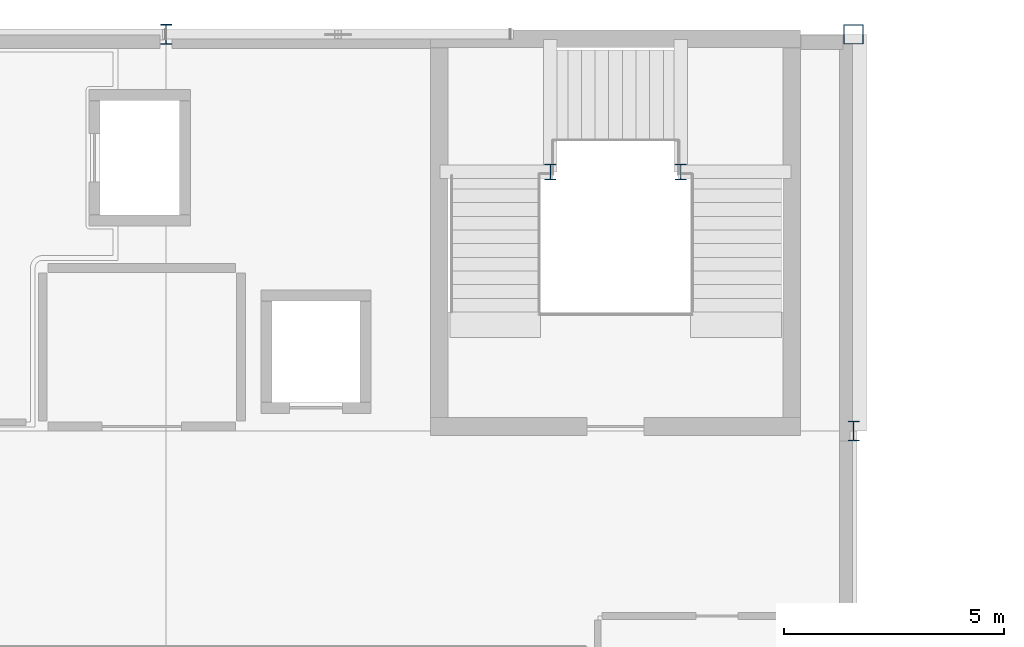
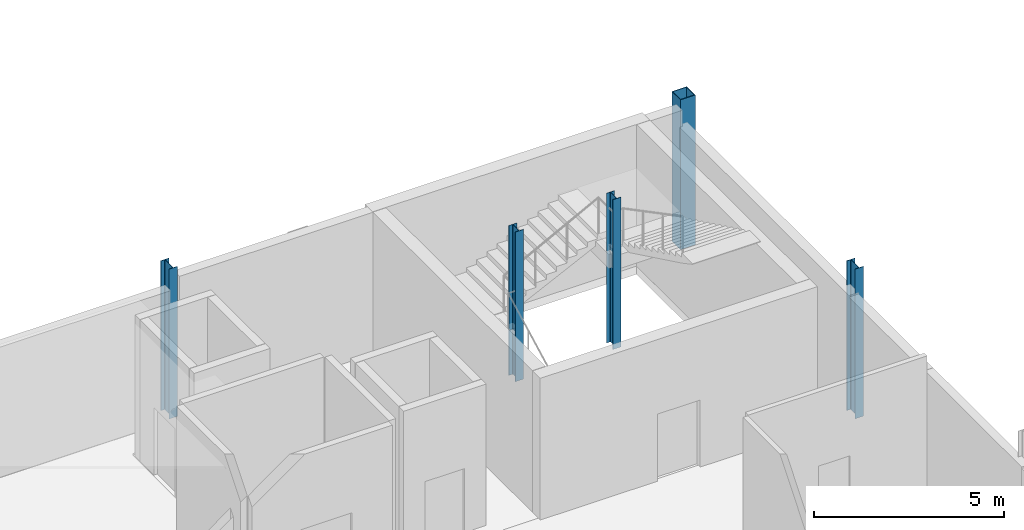
# One storey, part 12 of 100: 5 columns.
"""IFC4 building model written with IfcOpenShell, lengths in metres."""

import ifcopenshell
import ifcopenshell.guid

model = None  # the IFC model being written
_history = None  # IfcOwnerHistory: only IFC2X3 demands one
_inside = {}  # id of a spatial element -> (the spatial element, [elements in it])
_under = {}  # id of a project, library or spatial element -> (it, [spatial elements below it])
_declared = {}  # id of a project -> (the project, [libraries it declares])
_typed = {}  # id of a type object -> (the type object, [elements of that type])
_made_of = {}  # id of a material, layer set ... -> (it, [elements and type objects made of it])


def new_model(schema):
    """Start an empty IFC model of exactly this schema.

    Asked for "IFC4X3", IfcOpenShell would pick the latest addendum, in which some entities
    have other attributes; the version numbers below select the first issue.
    IFC2X3 requires an IfcOwnerHistory on every rooted entity: one is made here for all.
    """
    global model, _history
    if schema == "IFC4X3":
        model = ifcopenshell.file(schema_version=(4, 3, 0, 0))
    else:
        model = ifcopenshell.file(schema=schema)
    _inside.clear()
    _under.clear()
    _declared.clear()
    _typed.clear()
    _made_of.clear()
    _history = None
    if model.schema == "IFC2X3":
        org = make("IfcOrganization", Name="unknown")
        user = make(
            "IfcPersonAndOrganization",
            ThePerson=make("IfcPerson", FamilyName="unknown"),
            TheOrganization=org,
        )
        app = make(
            "IfcApplication",
            ApplicationDeveloper=org,
            Version="unknown",
            ApplicationFullName="unknown",
            ApplicationIdentifier="unknown",
        )
        _history = make(
            "IfcOwnerHistory",
            OwningUser=user,
            OwningApplication=app,
            ChangeAction="ADDED",
            CreationDate=0,
        )
    return model


def make(cls, **values):
    """One entity of the class cls with the attributes given. An attribute that is None is left unset."""
    return model.create_entity(
        cls, **{name: value for name, value in values.items() if value is not None}
    )


def rooted(cls, **values):
    """An entity with a GlobalId (a new one), such as an element, a storey or a relation."""
    return make(cls, GlobalId=ifcopenshell.guid.new(), OwnerHistory=_history, **values)


def si_unit(unit_type, name, prefix=None):
    """IfcSIUnit, for example si_unit("LENGTHUNIT", "METRE", prefix="MILLI")."""
    return make("IfcSIUnit", UnitType=unit_type, Prefix=prefix, Name=name)


def derived_unit(unit_type, elements):
    """IfcDerivedUnit: a product of units, each with its exponent."""
    return make(
        "IfcDerivedUnit",
        Elements=[
            make("IfcDerivedUnitElement", Unit=unit, Exponent=power)
            for unit, power in elements
        ],
        UnitType=unit_type,
    )


def assignment(units):
    """IfcUnitAssignment: the units of a project."""
    return None if units is None else make("IfcUnitAssignment", Units=units)


def point(xyz):
    """IfcCartesianPoint."""
    return None if xyz is None else make("IfcCartesianPoint", Coordinates=xyz)


def direction(xyz):
    """IfcDirection."""
    return None if xyz is None else make("IfcDirection", DirectionRatios=xyz)


def frame(location, z_axis=None, x_axis=None):
    """IfcAxis2Placement3D, a coordinate frame: its origin and axes. An axis left out is left unset."""
    return make(
        "IfcAxis2Placement3D",
        Location=point(location),
        Axis=direction(z_axis),
        RefDirection=direction(x_axis),
    )


def frame_2d(location, x_axis=None):
    """IfcAxis2Placement2D, a coordinate frame in the plane: its origin and x axis."""
    return make(
        "IfcAxis2Placement2D", Location=point(location), RefDirection=direction(x_axis)
    )


def origin():
    """The frame at (0, 0, 0) with its axes left unset."""
    return frame((0.0, 0.0, 0.0))


def origin_2d():
    """The frame at (0, 0) in the plane with its x axis left unset."""
    return frame_2d((0.0, 0.0))


def place(relative_to, where):
    """IfcLocalPlacement: puts the frame where relative to a parent placement (None: the world)."""
    return make(
        "IfcLocalPlacement", PlacementRelTo=relative_to, RelativePlacement=where
    )


def context(
    kind, dimensions, precision=None, world=None, true_north=None, identifier=None
):
    """IfcGeometricRepresentationContext, for example the 3D "Model" context."""
    return make(
        "IfcGeometricRepresentationContext",
        ContextIdentifier=identifier,
        ContextType=kind,
        CoordinateSpaceDimension=dimensions,
        Precision=precision,
        WorldCoordinateSystem=world,
        TrueNorth=true_north,
    )


def subcontext(parent, identifier, kind, view, scale=None):
    """IfcGeometricRepresentationSubContext, for example "Body" below "Model"."""
    return make(
        "IfcGeometricRepresentationSubContext",
        ContextIdentifier=identifier,
        ContextType=kind,
        ParentContext=parent,
        TargetScale=scale,
        TargetView=view,
    )


def project(units=None, contexts=None):
    """IfcProject with its units and contexts."""
    return rooted(
        "IfcProject",
        Name="project",
        RepresentationContexts=contexts,
        UnitsInContext=assignment(units),
    )


def spatial(cls, under=None, at=None, **own):
    """A site, building, storey or space (cls), placed at a placement, below another one or the project."""
    s = rooted(cls, ObjectPlacement=at, **own)
    if under is not None:
        _under.setdefault(under.id(), (under, []))[1].append(s)
    return s


def profile(cls, at=None, kind="AREA", **sizes):
    """A parametric profile (cls). Its sizes go by their IFC names, for example OverallWidth=200.0."""
    return make(cls, ProfileType=kind, Position=at, **sizes)


def hollow_rectangle(**sizes):
    """IfcRectangleHollowProfileDef."""
    return profile("IfcRectangleHollowProfileDef", **sizes)


def i_section(**sizes):
    """IfcIShapeProfileDef."""
    return profile("IfcIShapeProfileDef", **sizes)


def extrude(swept, where, along, depth):
    """IfcExtrudedAreaSolid: the profile swept, set in the frame where, extruded along a direction by depth."""
    return make(
        "IfcExtrudedAreaSolid",
        SweptArea=swept,
        Position=where,
        ExtrudedDirection=direction(along),
        Depth=depth,
    )


def shape(context_of_items, identifier, shape_type, items):
    """IfcShapeRepresentation: the items that make up one representation, for example the "Body"."""
    return make(
        "IfcShapeRepresentation",
        ContextOfItems=context_of_items,
        RepresentationIdentifier=identifier,
        RepresentationType=shape_type,
        Items=items,
    )


def material(Name=None, Category=None):
    """IfcMaterial."""
    return make("IfcMaterial", Name=Name, Category=Category)


def material_profile(
    of_material, cross_section, Name=None, Category=None, Priority=None
):
    """IfcMaterialProfile: a cross section and its material."""
    return make(
        "IfcMaterialProfile",
        Name=Name,
        Material=of_material,
        Profile=cross_section,
        Priority=Priority,
        Category=Category,
    )


def profile_set(profiles, Name=None, composite=None):
    """IfcMaterialProfileSet."""
    return make(
        "IfcMaterialProfileSet",
        Name=Name,
        MaterialProfiles=profiles,
        CompositeProfile=composite,
    )


def made_of(thing, what):
    """Note that an element or type object is made of a material, layer set ...; save() writes the relation."""
    if what is not None:
        _made_of.setdefault(what.id(), (what, []))[1].append(thing)
    return thing


def type_object(cls, material=None, **own):
    """A type object (cls), such as IfcWallType, which elements share."""
    return made_of(rooted(cls, **own), material)


def element(
    cls,
    number,
    at=None,
    inside=None,
    cuts=None,
    type_object=None,
    material=None,
    context=None,
    identifier="Body",
    shape_type=None,
    held_by="IfcProductDefinitionShape",
    body=None,
    shapes=None,
    **own,
):
    """One element of the class cls, such as IfcWall. Its Tag is "e" and its number.

    at: its placement. inside: the storey or other place that contains it. cuts: it is an
    opening in that element (IfcRelVoidsElement). A single representation is given by context,
    identifier, shape_type and body (its items); several are given by shapes. held_by: the class
    of the entity that holds the representations. save() writes the other relations.
    """
    e = rooted(cls, Tag="e%d" % number, ObjectPlacement=at, **own)
    if body is not None:
        shapes = [shape(context, identifier, shape_type, body)]
    if shapes is not None:
        e.Representation = make(held_by, Representations=shapes)
    if inside is not None:
        _inside.setdefault(inside.id(), (inside, []))[1].append(e)
    if cuts is not None:
        rooted(
            "IfcRelVoidsElement", RelatingBuildingElement=cuts, RelatedOpeningElement=e
        )
    if type_object is not None:
        _typed.setdefault(type_object.id(), (type_object, []))[1].append(e)
    return made_of(e, material)


def aggregate(whole, parts):
    """IfcRelAggregates: a whole, such as a stair, and the parts it consists of."""
    return rooted("IfcRelAggregates", RelatingObject=whole, RelatedObjects=parts)


def save(model, path):
    """Write the relations noted so far, then the file.

    IfcRelAggregates (storeys below a building ...), IfcRelContainedInSpatialStructure (elements
    in a storey), IfcRelDefinesByType, IfcRelAssociatesMaterial and IfcRelDeclares: one each for
    every whole, place, type object, material and project.
    """
    for whole, parts in _under.values():
        aggregate(whole, parts)
    for where, things in _inside.values():
        rooted(
            "IfcRelContainedInSpatialStructure",
            RelatedElements=things,
            RelatingStructure=where,
        )
    for kind, things in _typed.values():
        rooted("IfcRelDefinesByType", RelatedObjects=things, RelatingType=kind)
    for what, things in _made_of.values():
        rooted("IfcRelAssociatesMaterial", RelatedObjects=things, RelatingMaterial=what)
    for by, libraries in _declared.values():
        rooted("IfcRelDeclares", RelatingContext=by, RelatedDefinitions=libraries)
    model.write(path)


model = new_model("IFC4")

# Units and contexts
model_context = context("Model", 3, precision=1e-05, world=origin(), true_north=direction((0.0, 1.0)))
body_context = subcontext(model_context, "Body", "Model", "MODEL_VIEW")
ifc_project = project(units=[si_unit("LENGTHUNIT", "METRE"), si_unit("AREAUNIT", "SQUARE_METRE"), si_unit("VOLUMEUNIT", "CUBIC_METRE"), si_unit("PLANEANGLEUNIT", "RADIAN"), si_unit("MASSUNIT", "GRAM", prefix="KILO"), derived_unit("THERMALTRANSMITTANCEUNIT", [(si_unit("POWERUNIT", "WATT"), 1), (si_unit("LENGTHUNIT", "METRE"), -2), (si_unit("THERMODYNAMICTEMPERATUREUNIT", "KELVIN"), -1)])], contexts=[model_context])

# Site, building, storey
site_placement = place(None, origin())
site = spatial("IfcSite", under=ifc_project, at=site_placement, CompositionType="ELEMENT")
building_placement = place(site_placement, origin())
building = spatial("IfcBuilding", under=site, at=building_placement, Name="Nallur Shell Playhouse", CompositionType="ELEMENT")
storey_placement = place(building_placement, frame((0.0, 0.0, 10.199951171875)))
storey = spatial("IfcBuildingStorey", under=building, at=storey_placement, Name="L03", CompositionType="ELEMENT", Elevation=10.199951171875)

# Columns
ifc_material = material(Name="Steel E350", Category="steel")
ifc_material_profile_1 = material_profile(ifc_material, hollow_rectangle(XDim=0.449951171875, YDim=0.449951171875, WallThickness=0.02001953125, at=origin_2d()), Name="BOX 450x450x20")
ifc_profile_set_1 = profile_set([ifc_material_profile_1], Name="Steel E350")
column_type_1 = type_object("IfcColumnType", Name="CL-ST-BOX450", PredefinedType="COLUMN", material=ifc_profile_set_1)
column_placement = place(storey_placement, frame((103.0, 83.0, 0.0), z_axis=(0.0, 0.0, 1.0), x_axis=(1.0, 0.0, 0.0)))
element("IfcColumn", 1, at=column_placement, inside=storey, type_object=column_type_1, Name="Column 13-K (L03)", PredefinedType="COLUMN", context=body_context, shape_type="SweptSolid", body=[
    extrude(hollow_rectangle(XDim=0.449951171875, YDim=0.449951171875, WallThickness=0.02001953125, at=origin_2d()), origin(), (0.0, 0.0, 1.0), 4.800048828125),
])
ifc_material_profile_2 = material_profile(ifc_material, i_section(OverallWidth=0.25, OverallDepth=0.35009765625, WebThickness=0.010009765625, FlangeThickness=0.01171875, FilletRadius=0.011962890625, at=origin_2d()), Name="ISHB 350")
ifc_profile_set_2 = profile_set([ifc_material_profile_2], Name="Steel E350")
column_type_2 = type_object("IfcColumnType", Name="CL-ST-ISHB350", PredefinedType="COLUMN", material=ifc_profile_set_2)
for number, where, z_axis, x_axis, name in (
    (2, (96.1201171875, 79.8798828125, 0.0), (0.0, 0.0, 1.0), (1.0, 0.0, 0.0), "Column STW-JC-4-W (L03)"),
    (3, (99.080078125, 79.8798828125, 0.0), (0.0, 0.0, 1.0), (1.0, 0.0, 0.0), "Column STW-JC-4-E (L03)"),
):
    element("IfcColumn", number, at=place(storey_placement, frame(where, z_axis=z_axis, x_axis=x_axis)), inside=storey, type_object=column_type_2, Name=name, PredefinedType="COLUMN", context=body_context, shape_type="SweptSolid", body=[
        extrude(i_section(OverallWidth=0.25, OverallDepth=0.35009765625, WebThickness=0.010009765625, FlangeThickness=0.01171875, FilletRadius=0.011962890625, at=origin_2d()), origin(), (0.0, 0.0, 1.0), 4.800048828125),
    ])
ifc_material_profile_3 = material_profile(ifc_material, i_section(OverallWidth=0.25, OverallDepth=0.449951171875, WebThickness=0.01123046875, FlangeThickness=0.013671875, FilletRadius=0.014892578125, at=origin_2d()), Name="ISHB 450")
ifc_profile_set_3 = profile_set([ifc_material_profile_3], Name="Steel E350")
column_type_3 = type_object("IfcColumnType", Name="CL-ST-ISHB450", PredefinedType="COLUMN", material=ifc_profile_set_3)
for number, where, z_axis, x_axis, name in (
    (4, (87.39990234375, 83.0, 0.0), (0.0, 0.0, 1.0), (1.0, 0.0, 0.0), "Column 11-K (L03)"),
    (5, (103.0, 74.0, 0.0), (0.0, 0.0, 1.0), (1.0, 0.0, 0.0), "Column 13-J (L03)"),
):
    element("IfcColumn", number, at=place(storey_placement, frame(where, z_axis=z_axis, x_axis=x_axis)), inside=storey, type_object=column_type_3, Name=name, PredefinedType="COLUMN", context=body_context, shape_type="SweptSolid", body=[
        extrude(i_section(OverallWidth=0.25, OverallDepth=0.449951171875, WebThickness=0.01123046875, FlangeThickness=0.013671875, FilletRadius=0.014892578125, at=origin_2d()), origin(), (0.0, 0.0, 1.0), 4.800048828125),
    ])

save(model, "model.ifc")
